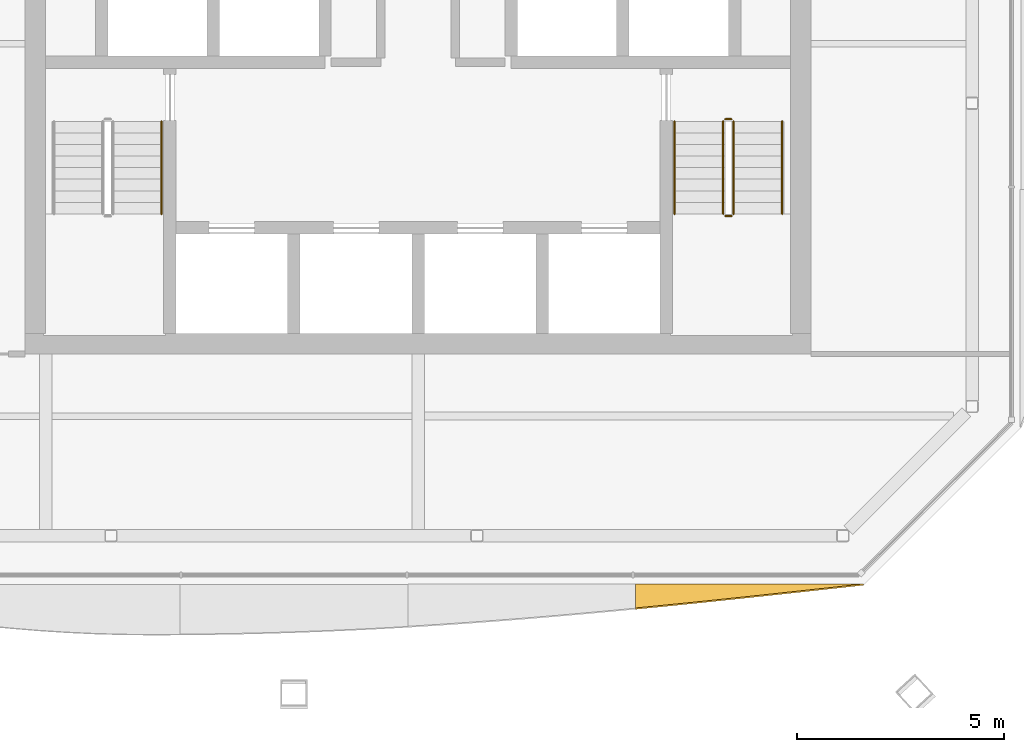
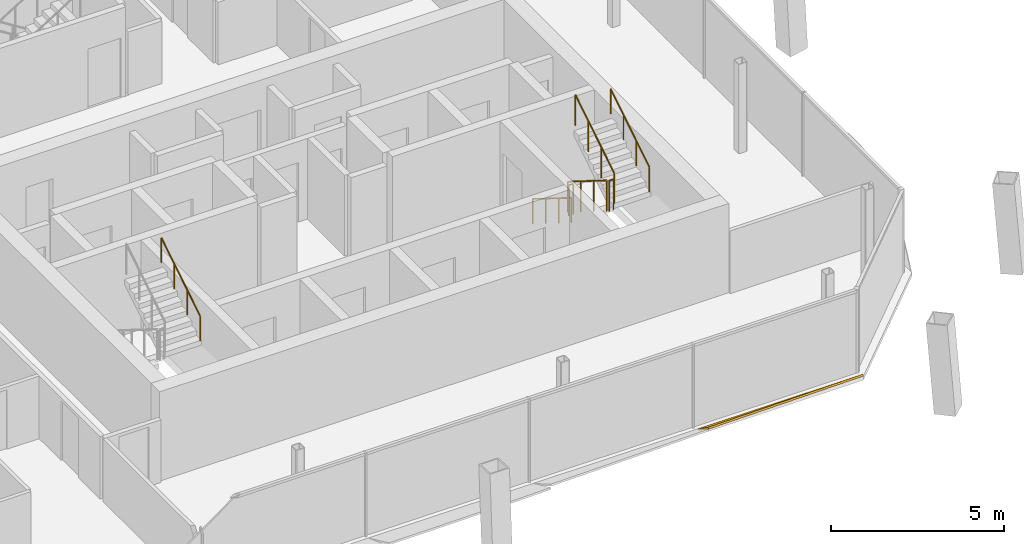
# One storey, part 14 of 16: 7 railings, 1 shading device.
"""IFC4 building model written with IfcOpenShell, lengths in metres."""

from ifc_helpers import new_model, si_unit, direction, frame, origin, origin_2d, place, context, subcontext, project, spatial, polyline, circle, outline, extrude, material, layer, layer_set, type_object, element, save


model = new_model("IFC4")

# Units and contexts
model_context = context("Model", 3, precision=1e-05, world=origin(), true_north=direction((0.0, 1.0)))
body_context = subcontext(model_context, "Body", "Model", "MODEL_VIEW")
ifc_project = project(units=[si_unit("LENGTHUNIT", "METRE"), si_unit("AREAUNIT", "SQUARE_METRE"), si_unit("VOLUMEUNIT", "CUBIC_METRE"), si_unit("PLANEANGLEUNIT", "RADIAN"), si_unit("MASSUNIT", "GRAM", prefix="KILO")], contexts=[model_context])

# Site, building, storey
site_placement = place(None, origin())
site = spatial("IfcSite", under=ifc_project, at=site_placement, CompositionType="ELEMENT")
building_placement = place(site_placement, origin())
building = spatial("IfcBuilding", under=site, at=building_placement, Name="Tskaro Facet Tower", CompositionType="ELEMENT")
storey_placement = place(building_placement, frame((0.0, 0.0, 248.699951171875)))
storey = spatial("IfcBuildingStorey", under=building, at=storey_placement, Name="L65", CompositionType="ELEMENT", Elevation=248.699951171875)

# Shading device
ifc_material_1 = material(Name="Bronze anodised aluminium 6063-T6", Category="aluminium")
ifc_layer = layer(ifc_material_1, 0.06005859375, Name="Bronze anodised aluminium 6063-T6")
ifc_layer_set = layer_set([ifc_layer], Name="Bronze anodised aluminium 6063-T6")
shading_device_type = type_object("IfcShadingDeviceType", Name="Bronze sun blade (FN1)", PredefinedType="USERDEFINED", material=ifc_layer_set)
shading_device_placement = place(storey_placement, frame((5.259033203125, -17.556640625, 0.04931640625), z_axis=(2.0019445e-05, 0.57340298528, 0.819273468429), x_axis=(0.9999999998, -1.1479209e-05, -1.64014e-05)))
element("IfcShadingDevice", 1, at=shading_device_placement, inside=storey, type_object=shading_device_type, Name="Fin blade south 5", ObjectType="FIN", PredefinedType="USERDEFINED", context=body_context, shape_type="SweptSolid", body=[
    extrude(outline(polyline([(0.0, 0.0), (5.505859373896686, 0.0), (4.817626952025598, -0.09238359938830261), (4.129394531356215, -0.18442718987670587), (3.441162109085998, -0.2759307535285416), (2.752929687618359, -0.366214272544011), (2.0646972641507584, -0.455077728986446), (1.3764648426874428, -0.5423811318926153), (0.6882324228292844, -0.6272444455260521), (-2.2305059133443704e-09, -0.7096076429133195), (0.0, 0.0)])), origin(), (0.0, 0.0, -1.0), 0.06005859375),
])

# Railings
ifc_material_2 = material(Name="Stainless steel", Category="steel")
railing_type_1 = type_object("IfcRailingType", Name="RL-GUARD-1100", PredefinedType="GUARDRAIL", material=ifc_material_2)
railing_1_placement = place(storey_placement, frame((7.375, -6.375, 0.175048828125)))
element("IfcRailing", 2, at=railing_1_placement, inside=storey, type_object=railing_type_1, Name="L65 ST-2 stair guard 1", PredefinedType="GUARDRAIL", context=body_context, shape_type="SweptSolid", body=[
    extrude(circle(Radius=0.02392578125, at=origin_2d()), frame((0.0, 0.0, 1.076171875), z_axis=(0.0, -0.848013881152, 0.529974015752), x_axis=(1.0, 0.0, 0.0)), (0.0, 0.0, 1.0), 2.641357421875),
    extrude(circle(Radius=0.02099609375, at=origin_2d()), origin(), (0.0, 0.0, 1.0), 1.052001953125),
    extrude(circle(Radius=0.02099609375, at=origin_2d()), frame((0.0, -0.74658203125, 0.466552734375)), (0.0, 0.0, 1.0), 1.052001953125),
    extrude(circle(Radius=0.02099609375, at=origin_2d()), frame((0.0, -1.493408203125, 0.933349609375)), (0.0, 0.0, 1.0), 1.052001953125),
    extrude(circle(Radius=0.02099609375, at=origin_2d()), frame((0.0, -2.239990234375, 1.39990234375)), (0.0, 0.0, 1.0), 1.052001953125),
])
railing_2_placement = place(storey_placement, frame((7.425048828125, -8.6650390625, 1.574951171875)))
element("IfcRailing", 3, at=railing_2_placement, inside=storey, type_object=railing_type_1, Name="L65 ST-2 stair guard 2", PredefinedType="GUARDRAIL", context=body_context, shape_type="SweptSolid", body=[
    extrude(circle(Radius=0.02392578125, at=origin_2d()), frame((0.0, 0.0, 1.076171875), z_axis=(1.0, 0.0, 0.0), x_axis=(0.0, 1.0, 0.0)), (0.0, 0.0, 1.0), 0.14990234375),
    extrude(circle(Radius=0.02099609375, at=origin_2d()), origin(), (0.0, 0.0, 1.0), 1.052001953125),
    extrude(circle(Radius=0.02099609375, at=origin_2d()), frame((0.14990234375, 0.0, 0.0)), (0.0, 0.0, 1.0), 1.052001953125),
])
railing_3_placement = place(storey_placement, frame((7.625, -8.614990234375, 1.75)))
element("IfcRailing", 4, at=railing_3_placement, inside=storey, type_object=railing_type_1, Name="L65 ST-2 stair guard 3", PredefinedType="GUARDRAIL", context=body_context, shape_type="SweptSolid", body=[
    extrude(circle(Radius=0.02392578125, at=origin_2d()), frame((0.0, 0.0, 1.076171875), z_axis=(0.0, 0.847972341737, 0.530040477369), x_axis=(-1.0, 0.0, 0.0)), (0.0, 0.0, 1.0), 2.6416015625),
    extrude(circle(Radius=0.02099609375, at=origin_2d()), origin(), (0.0, 0.0, 1.0), 1.052001953125),
    extrude(circle(Radius=0.02099609375, at=origin_2d()), frame((0.0, 0.74658203125, 0.466796875)), (0.0, 0.0, 1.0), 1.052001953125),
    extrude(circle(Radius=0.02099609375, at=origin_2d()), frame((0.0, 1.493408203125, 0.933349609375)), (0.0, 0.0, 1.0), 1.052001953125),
    extrude(circle(Radius=0.02099609375, at=origin_2d()), frame((0.0, 2.239990234375, 1.400146484375)), (0.0, 0.0, 1.0), 1.052001953125),
])
railing_4_placement = place(storey_placement, frame((7.425048828125, -6.324951171875, 0.0)))
element("IfcRailing", 5, at=railing_4_placement, inside=storey, type_object=railing_type_1, Name="L65 ST-2 stair guard 4", PredefinedType="GUARDRAIL", context=body_context, shape_type="SweptSolid", body=[
    extrude(circle(Radius=0.02392578125, at=origin_2d()), frame((0.0, 0.0, 1.076171875), z_axis=(1.0, 0.0, 0.0), x_axis=(0.0, 1.0, 0.0)), (0.0, 0.0, 1.0), 0.14990234375),
    extrude(circle(Radius=0.02099609375, at=origin_2d()), origin(), (0.0, 0.0, 1.0), 1.052001953125),
    extrude(circle(Radius=0.02099609375, at=origin_2d()), frame((0.14990234375, 0.0, 0.0)), (0.0, 0.0, 1.0), 1.052001953125),
])
railing_type_2 = type_object("IfcRailingType", Name="RL-HANDRAIL-900", PredefinedType="HANDRAIL", material=ifc_material_2)
railing_5_placement = place(storey_placement, frame((-6.199951171875, -8.614990234375, 1.75)))
element("IfcRailing", 6, at=railing_5_placement, inside=storey, type_object=railing_type_2, Name="L65 ST-1 stair handrail 2", PredefinedType="HANDRAIL", context=body_context, shape_type="SweptSolid", body=[
    extrude(circle(Radius=0.02392578125, at=origin_2d()), frame((0.0, 0.0, 0.8759765625), z_axis=(0.0, 0.847972341737, 0.530040477369), x_axis=(-1.0, 0.0, 0.0)), (0.0, 0.0, 1.0), 2.6416015625),
    extrude(circle(Radius=0.02099609375, at=origin_2d()), origin(), (0.0, 0.0, 1.0), 0.851806640625),
    extrude(circle(Radius=0.02099609375, at=origin_2d()), frame((0.0, 0.74658203125, 0.466796875)), (0.0, 0.0, 1.0), 0.851806640625),
    extrude(circle(Radius=0.02099609375, at=origin_2d()), frame((0.0, 1.493408203125, 0.933349609375)), (0.0, 0.0, 1.0), 0.851806640625),
    extrude(circle(Radius=0.02099609375, at=origin_2d()), frame((0.0, 2.239990234375, 1.400146484375)), (0.0, 0.0, 1.0), 0.851806640625),
])
railing_6_placement = place(storey_placement, frame((6.199951171875, -6.375, 0.175048828125)))
element("IfcRailing", 7, at=railing_6_placement, inside=storey, type_object=railing_type_2, Name="L65 ST-2 stair handrail 1", PredefinedType="HANDRAIL", context=body_context, shape_type="SweptSolid", body=[
    extrude(circle(Radius=0.02392578125, at=origin_2d()), frame((0.0, 0.0, 0.8759765625), z_axis=(0.0, -0.848013881152, 0.529974015752), x_axis=(1.0, 0.0, 0.0)), (0.0, 0.0, 1.0), 2.641357421875),
    extrude(circle(Radius=0.02099609375, at=origin_2d()), origin(), (0.0, 0.0, 1.0), 0.851806640625),
    extrude(circle(Radius=0.02099609375, at=origin_2d()), frame((0.0, -0.74658203125, 0.466552734375)), (0.0, 0.0, 1.0), 0.851806640625),
    extrude(circle(Radius=0.02099609375, at=origin_2d()), frame((0.0, -1.493408203125, 0.933349609375)), (0.0, 0.0, 1.0), 0.851806640625),
    extrude(circle(Radius=0.02099609375, at=origin_2d()), frame((0.0, -2.239990234375, 1.39990234375)), (0.0, 0.0, 1.0), 0.851806640625),
])
railing_7_placement = place(storey_placement, frame((8.800048828125, -8.614990234375, 1.75)))
element("IfcRailing", 8, at=railing_7_placement, inside=storey, type_object=railing_type_2, Name="L65 ST-2 stair handrail 2", PredefinedType="HANDRAIL", context=body_context, shape_type="SweptSolid", body=[
    extrude(circle(Radius=0.02392578125, at=origin_2d()), frame((0.0, 0.0, 0.8759765625), z_axis=(0.0, 0.847972341737, 0.530040477369), x_axis=(-1.0, 0.0, 0.0)), (0.0, 0.0, 1.0), 2.6416015625),
    extrude(circle(Radius=0.02099609375, at=origin_2d()), origin(), (0.0, 0.0, 1.0), 0.851806640625),
    extrude(circle(Radius=0.02099609375, at=origin_2d()), frame((0.0, 0.74658203125, 0.466796875)), (0.0, 0.0, 1.0), 0.851806640625),
    extrude(circle(Radius=0.02099609375, at=origin_2d()), frame((0.0, 1.493408203125, 0.933349609375)), (0.0, 0.0, 1.0), 0.851806640625),
    extrude(circle(Radius=0.02099609375, at=origin_2d()), frame((0.0, 2.239990234375, 1.400146484375)), (0.0, 0.0, 1.0), 0.851806640625),
])

save(model, "model.ifc")
